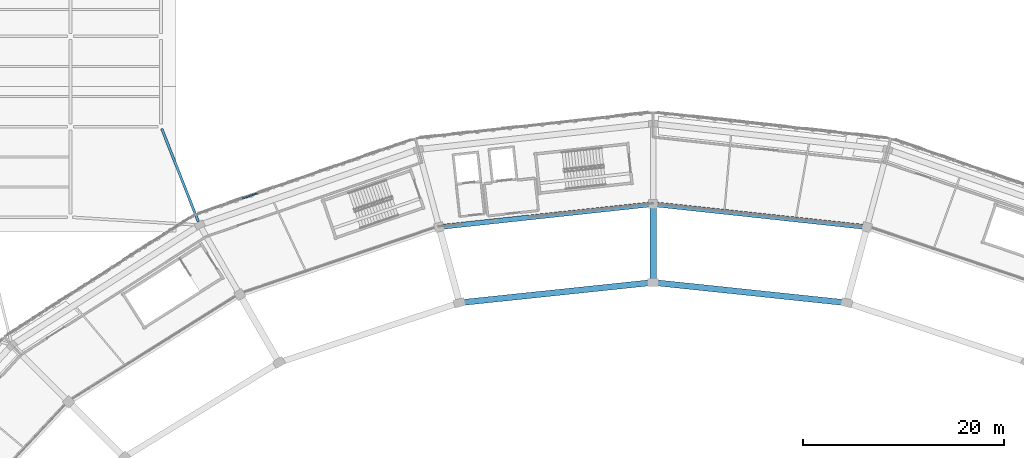
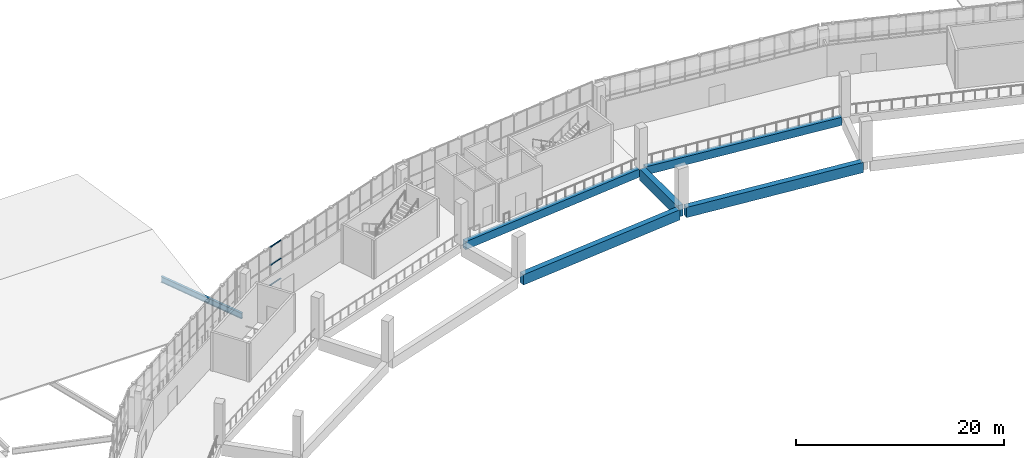
# One storey, part 38 of 108: 6 beams, 3 members, 1 element without a shape of its own.
"""IFC4 building model written with IfcOpenShell, lengths in metres."""

from ifc_helpers import new_model, si_unit, direction, frame, origin, origin_2d, place, context, subcontext, project, spatial, rectangle, i_section, extrude, material, material_profile, profile_set, type_object, element, aggregate, save


model = new_model("IFC4")

# Units and contexts
model_context = context("Model", 3, precision=1e-05, world=origin(), true_north=direction((0.0, 1.0)))
body_context = subcontext(model_context, "Body", "Model", "MODEL_VIEW")
ifc_project = project(units=[si_unit("LENGTHUNIT", "METRE"), si_unit("AREAUNIT", "SQUARE_METRE"), si_unit("VOLUMEUNIT", "CUBIC_METRE"), si_unit("PLANEANGLEUNIT", "RADIAN"), si_unit("MASSUNIT", "GRAM", prefix="KILO")], contexts=[model_context])

# Site, building, storey
site_placement = place(None, origin())
site = spatial("IfcSite", under=ifc_project, at=site_placement, CompositionType="ELEMENT")
building_placement = place(site_placement, origin())
building = spatial("IfcBuilding", under=site, at=building_placement, Name="Zevraka Park Crest Stadium", CompositionType="ELEMENT")
storey_placement = place(building_placement, frame((0.0, 0.0, 19.800048828125)))
storey = spatial("IfcBuildingStorey", under=building, at=storey_placement, Name="L04", CompositionType="ELEMENT", Elevation=19.800048828125)

# Beams
ifc_material_1 = material(Name="Concrete C40/50", Category="concrete")
ifc_material_profile_1 = material_profile(ifc_material_1, rectangle(XDim=0.64990234375, YDim=1.35009765625, at=origin_2d()), Name="RC 1350x650")
ifc_profile_set_1 = profile_set([ifc_material_profile_1], Name="Concrete C40/50")
beam_type_1 = type_object("IfcBeamType", Name="BG01", PredefinedType="BEAM", material=ifc_profile_set_1)
beam_1_placement = place(storey_placement, frame((112.0, 151.800048828125, -0.68505859375), z_axis=(0.0, 1.0, 0.0), x_axis=(-1.0, 0.0, 0.0)))
element("IfcBeam", 1, at=beam_1_placement, inside=storey, type_object=beam_type_1, Name="Radial Girder BG01 L04-BC-06", PredefinedType="BEAM", context=body_context, shape_type="SweptSolid", body=[
    extrude(rectangle(XDim=0.64990234375, YDim=1.35009765625, at=origin_2d()), origin(), (0.0, 0.0, 1.0), 7.199951171875),
])
ifc_material_2 = material(Name="Steel S355", Category="steel")
ifc_material_profile_2 = material_profile(ifc_material_2, i_section(OverallWidth=0.253662109375, OverallDepth=0.68359375, WebThickness=0.012451171875, FlangeThickness=0.01904296875, at=origin_2d()), Name="UKB 686x254x140")
ifc_profile_set_2 = profile_set([ifc_material_profile_2], Name="Steel S355")
beam_type_2 = type_object("IfcBeamType", Name="BG05", PredefinedType="BEAM", material=ifc_profile_set_2)
beam_2_placement = place(storey_placement, frame((63.072998046875, 166.81396484375, -0.60986328125), z_axis=(0.366068857267, -0.930587766812, 0.0), x_axis=(0.930587766812, 0.366068857267, 0.0)))
element("IfcBeam", 2, at=beam_2_placement, inside=storey, type_object=beam_type_2, Name="Wing Link Girder BG05 L04-8/U", PredefinedType="BEAM", context=body_context, shape_type="SweptSolid", body=[
    extrude(i_section(OverallWidth=0.253662109375, OverallDepth=0.68359375, WebThickness=0.012451171875, FlangeThickness=0.01904296875, at=origin_2d()), origin(), (0.0, 0.0, 1.0), 9.937744140625),
])

# Curtain wall, members
ifc_material_3 = material(Name="Anodised architectural aluminium and laminated safety glass", Category="aluminium")
curtain_wall_type = type_object("IfcCurtainWallType", Name="CW17", PredefinedType="NOTDEFINED", material=ifc_material_3)
curtain_wall_placement = place(storey_placement, origin())
curtain_wall = element("IfcCurtainWall", 3, at=curtain_wall_placement, inside=storey, type_object=curtain_wall_type, Name="Unitised Ring Curtain Wall CW17 L04-07", PredefinedType="NOTDEFINED")
ifc_material_4 = material(Name="Anodised architectural aluminium", Category="aluminium")
ifc_material_profile_3 = material_profile(ifc_material_4, rectangle(XDim=0.139892578125, YDim=0.06494140625, at=origin_2d()), Name="ALU TRANSOM 140x65")
ifc_profile_set_3 = profile_set([ifc_material_profile_3], Name="Anodised architectural aluminium")
member_type = type_object("IfcMemberType", Name="CT02", PredefinedType="USERDEFINED", material=ifc_profile_set_3)
member_1_placement = place(storey_placement, frame((72.60693359375, 160.36767578125, 0.032470703125), z_axis=(-0.944932887153, -0.327264172766, 0.0), x_axis=(0.327264172766, -0.944932887153, 0.0)))
member_1 = element("IfcMember", 4, at=member_1_placement, type_object=member_type, Name="CW17 transom 11.1", ObjectType="TRANSOM", PredefinedType="USERDEFINED", context=body_context, shape_type="SweptSolid", body=[
    extrude(rectangle(XDim=0.139892578125, YDim=0.06494140625, at=origin_2d()), origin(), (0.0, 0.0, 1.0), 1.5830078125),
])
member_2_placement = place(storey_placement, frame((72.60693359375, 160.36767578125, 2.39990234375), z_axis=(-0.944932887153, -0.327264172766, 0.0), x_axis=(0.327264172766, -0.944932887153, 0.0)))
member_2 = element("IfcMember", 5, at=member_2_placement, type_object=member_type, Name="CW17 transom 11.2", ObjectType="TRANSOM", PredefinedType="USERDEFINED", context=body_context, shape_type="SweptSolid", body=[
    extrude(rectangle(XDim=0.139892578125, YDim=0.06494140625, at=origin_2d()), origin(), (0.0, 0.0, 1.0), 1.5830078125),
])
member_3_placement = place(storey_placement, frame((72.60693359375, 160.36767578125, 4.507568359375), z_axis=(-0.944932887153, -0.327264172766, 0.0), x_axis=(0.327264172766, -0.944932887153, 0.0)))
member_3 = element("IfcMember", 6, at=member_3_placement, type_object=member_type, Name="CW17 transom 11.3", ObjectType="TRANSOM", PredefinedType="USERDEFINED", context=body_context, shape_type="SweptSolid", body=[
    extrude(rectangle(XDim=0.139892578125, YDim=0.06494140625, at=origin_2d()), origin(), (0.0, 0.0, 1.0), 1.5830078125),
])
aggregate(curtain_wall, [member_1, member_2, member_3])

# Beams
ifc_material_5 = material(Name="Concrete C40/50", Category="concrete")
ifc_material_profile_4 = material_profile(ifc_material_5, rectangle(XDim=0.60009765625, YDim=1.199951171875, at=origin_2d()), Name="RC 1200x600")
ifc_profile_set_4 = profile_set([ifc_material_profile_4], Name="Concrete C40/50")
beam_type_3 = type_object("IfcBeamType", Name="RB01", PredefinedType="BEAM", material=ifc_profile_set_4)
for number, where, z_axis, x_axis, name in (
    (7, (130.904052734375, 149.512939453125, -0.610107421875), (-0.994522746434, 0.1045203656, 0.0), (-0.1045203656, -0.994522746434, 0.0), "Ring Beam RB01 L04-B-05"),
    (8, (111.6220703125, 151.4599609375, -0.610107421875), (-0.994522746434, -0.1045203656, 0.0), (0.1045203656, -0.994522746434, 0.0), "Ring Beam RB01 L04-B-06"),
):
    element("IfcBeam", number, at=place(storey_placement, frame(where, z_axis=z_axis, x_axis=x_axis)), inside=storey, type_object=beam_type_3, Name=name, PredefinedType="BEAM", context=body_context, shape_type="SweptSolid", body=[
        extrude(rectangle(XDim=0.60009765625, YDim=1.199951171875, at=origin_2d()), origin(), (0.0, 0.0, 1.0), 18.628173828125),
    ])
ifc_material_6 = material(Name="Concrete C40/50", Category="concrete")
ifc_material_profile_5 = material_profile(ifc_material_6, rectangle(XDim=0.5, YDim=0.949951171875, at=origin_2d()), Name="RC 950x500")
ifc_profile_set_5 = profile_set([ifc_material_profile_5], Name="Concrete C40/50")
beam_type_4 = type_object("IfcBeamType", Name="RB02", PredefinedType="BEAM", material=ifc_profile_set_5)
for number, where, z_axis, x_axis, name in (
    (9, (132.923095703125, 157.048095703125, -0.485107421875), (-0.994259477334, 0.106995755668, 0.0), (-0.106995755668, -0.994259477334, 0.0), "Ring Beam RB02 L04-C-05"),
    (10, (111.6220703125, 159.259033203125, -0.485107421875), (-0.994259477334, -0.106995755668, 0.0), (0.106995755668, -0.994259477334, 0.0), "Ring Beam RB02 L04-C-06"),
):
    element("IfcBeam", number, at=place(storey_placement, frame(where, z_axis=z_axis, x_axis=x_axis)), inside=storey, type_object=beam_type_4, Name=name, PredefinedType="BEAM", context=body_context, shape_type="SweptSolid", body=[
        extrude(rectangle(XDim=0.5, YDim=0.949951171875, at=origin_2d()), origin(), (0.0, 0.0, 1.0), 20.663818359375),
    ])

save(model, "model.ifc")
